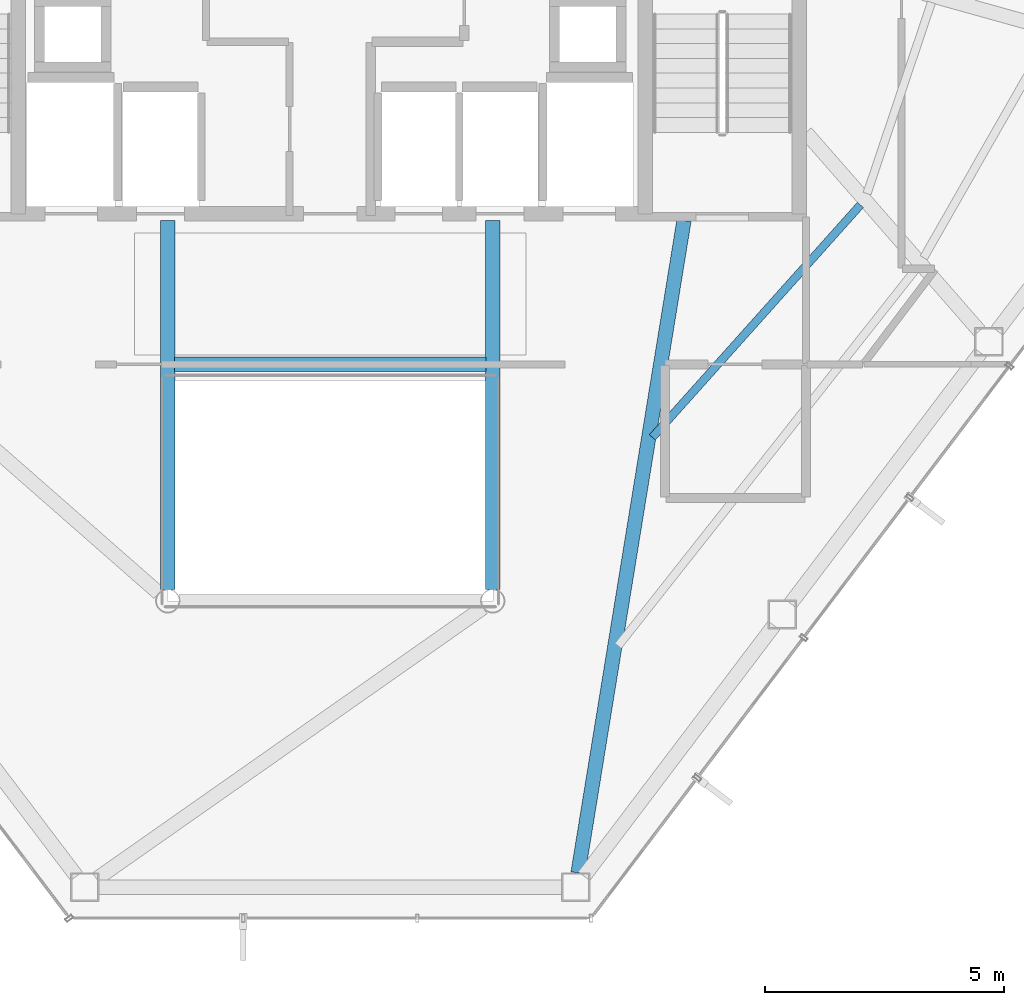
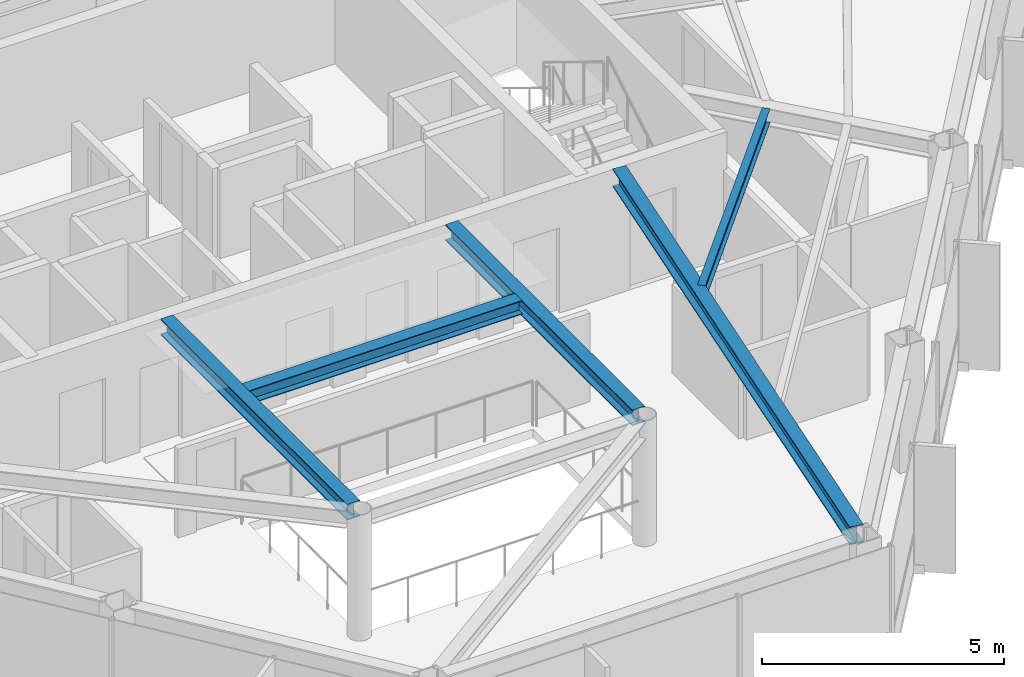
# One storey, part 7 of 25: 5 beams.
"""IFC4 building model written with IfcOpenShell, lengths in metres."""

from ifc_helpers import new_model, si_unit, direction, frame, origin, origin_2d, place, context, subcontext, project, spatial, i_section, extrude, material, material_profile, profile_set, type_object, element, save


model = new_model("IFC4")

# Units and contexts
model_context = context("Model", 3, precision=1e-05, world=origin(), true_north=direction((0.0, 1.0)))
body_context = subcontext(model_context, "Body", "Model", "MODEL_VIEW")
ifc_project = project(units=[si_unit("LENGTHUNIT", "METRE"), si_unit("AREAUNIT", "SQUARE_METRE"), si_unit("VOLUMEUNIT", "CUBIC_METRE"), si_unit("PLANEANGLEUNIT", "RADIAN"), si_unit("MASSUNIT", "GRAM", prefix="KILO")], contexts=[model_context])

# Site, building, storey
site_placement = place(None, origin())
site = spatial("IfcSite", under=ifc_project, at=site_placement, CompositionType="ELEMENT")
building_placement = place(site_placement, origin())
building = spatial("IfcBuilding", under=site, at=building_placement, Name="Zarrinselat Tower", CompositionType="ELEMENT")
storey_placement = place(building_placement, frame((0.0, 0.0, 239.360107421875)))
storey = spatial("IfcBuildingStorey", under=building, at=storey_placement, Name="L60", CompositionType="ELEMENT", Elevation=239.360107421875)

# Beams
ifc_material_1 = material(Name="Steel S355J2", Category="steel")
ifc_material_profile_1 = material_profile(ifc_material_1, i_section(OverallWidth=0.300048828125, OverallDepth=0.35009765625, WebThickness=0.010009765625, FlangeThickness=0.017578125, at=origin_2d()), Name="HEA 360")
ifc_profile_set_1 = profile_set([ifc_material_profile_1], Name="Steel S355J2")
beam_type_1 = type_object("IfcBeamType", Name="BM-HEA360", PredefinedType="LINTEL", material=ifc_profile_set_1)
beam_1_placement = place(storey_placement, frame((35.139892578125, 30.14990234375, 3.0048828125), z_axis=(1.0, 0.0, 0.0), x_axis=(0.0, 1.0, 0.0)))
element("IfcBeam", 1, at=beam_1_placement, inside=storey, type_object=beam_type_1, Name="L60 Lift Lobby Ceiling Beam", PredefinedType="LINTEL", context=body_context, shape_type="SweptSolid", body=[
    extrude(i_section(OverallWidth=0.300048828125, OverallDepth=0.35009765625, WebThickness=0.010009765625, FlangeThickness=0.017578125, at=origin_2d()), origin(), (0.0, 0.0, 1.0), 6.52001953125),
])
ifc_material_2 = material(Name="Steel S355J2", Category="steel")
ifc_material_profile_2 = material_profile(ifc_material_2, i_section(OverallWidth=0.300048828125, OverallDepth=0.39990234375, WebThickness=0.013427734375, FlangeThickness=0.02392578125, at=origin_2d()), Name="HEB 400")
ifc_profile_set_2 = profile_set([ifc_material_profile_2], Name="Steel S355J2")
beam_type_2 = type_object("IfcBeamType", Name="BM-HEB400", PredefinedType="BEAM", material=ifc_profile_set_2)
for number, where, z_axis, x_axis, name in (
    (2, (35.0, 25.43994140625, 2.97998046875), (0.0, 1.0, 0.0), (-1.0, 0.0, 0.0), "L60 Atrium Edge Beam W"),
    (3, (41.800048828125, 25.43994140625, 2.97998046875), (0.0, 1.0, 0.0), (-1.0, 0.0, 0.0), "L60 Atrium Edge Beam E"),
):
    element("IfcBeam", number, at=place(storey_placement, frame(where, z_axis=z_axis, x_axis=x_axis)), inside=storey, type_object=beam_type_2, Name=name, PredefinedType="BEAM", context=body_context, shape_type="SweptSolid", body=[
        extrude(i_section(OverallWidth=0.300048828125, OverallDepth=0.39990234375, WebThickness=0.013427734375, FlangeThickness=0.02392578125, at=origin_2d()), origin(), (0.0, 0.0, 1.0), 7.719970703125),
    ])
ifc_material_3 = material(Name="Steel S355J2", Category="steel")
ifc_material_profile_3 = material_profile(ifc_material_3, i_section(OverallWidth=0.300048828125, OverallDepth=0.449951171875, WebThickness=0.013916015625, FlangeThickness=0.02587890625, at=origin_2d()), Name="HEB 450")
ifc_profile_set_3 = profile_set([ifc_material_profile_3], Name="Steel S355J2")
beam_type_3 = type_object("IfcBeamType", Name="BM-HEB450", PredefinedType="BEAM", material=ifc_profile_set_3)
beam_2_placement = place(storey_placement, frame((43.58349609375, 19.5107421875, 2.954833984375), z_axis=(0.160294795681, 0.987069186267, 0.0), x_axis=(-0.987069186267, 0.160294795681, 0.0)))
element("IfcBeam", 4, at=beam_2_placement, inside=storey, type_object=beam_type_3, Name="L60 Radial Primary Girder RG11", PredefinedType="BEAM", context=body_context, shape_type="SweptSolid", body=[
    extrude(i_section(OverallWidth=0.300048828125, OverallDepth=0.449951171875, WebThickness=0.013916015625, FlangeThickness=0.02587890625, at=origin_2d()), origin(), (0.0, 0.0, 1.0), 13.827880859375),
])
ifc_material_4 = material(Name="Steel S355J2", Category="steel")
ifc_material_profile_4 = material_profile(ifc_material_4, i_section(OverallWidth=0.169921875, OverallDepth=0.360107421875, WebThickness=0.008056640625, FlangeThickness=0.0126953125, at=origin_2d()), Name="IPE 360")
ifc_profile_set_4 = profile_set([ifc_material_profile_4], Name="Steel S355J2")
beam_type_4 = type_object("IfcBeamType", Name="BM-IPE360", PredefinedType="JOIST", material=ifc_profile_set_4)
beam_3_placement = place(storey_placement, frame((45.139892578125, 28.62353515625, 3.0), z_axis=(0.666935965388, 0.745115036804, 0.0), x_axis=(-0.745115036804, 0.666935965388, 0.0)))
element("IfcBeam", 5, at=beam_3_placement, inside=storey, type_object=beam_type_4, Name="L60 Composite Floor Joist 3-2", PredefinedType="JOIST", context=body_context, shape_type="SweptSolid", body=[
    extrude(i_section(OverallWidth=0.169921875, OverallDepth=0.360107421875, WebThickness=0.008056640625, FlangeThickness=0.0126953125, at=origin_2d()), origin(), (0.0, 0.0, 1.0), 6.523681640625),
])

save(model, "model.ifc")
